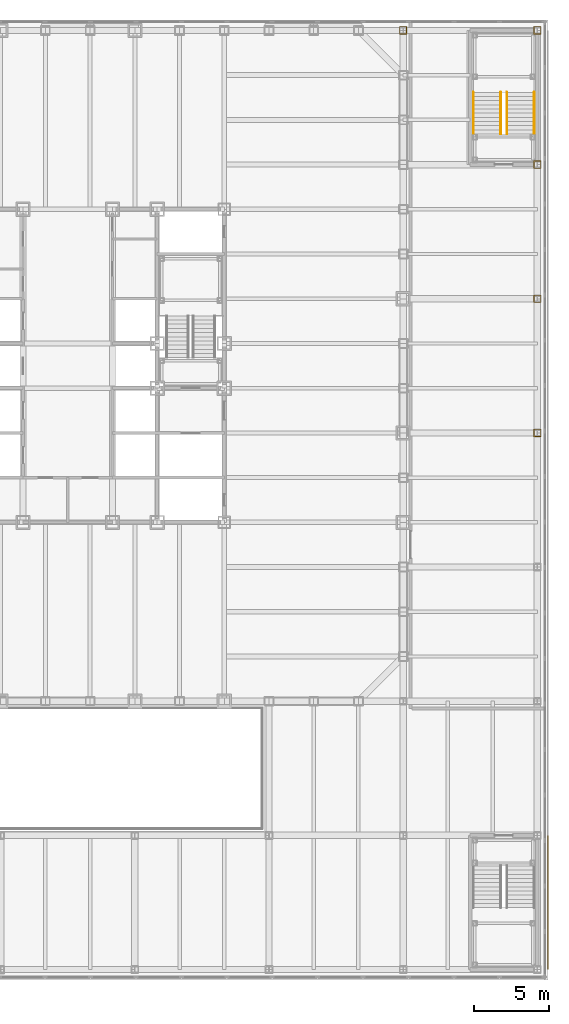
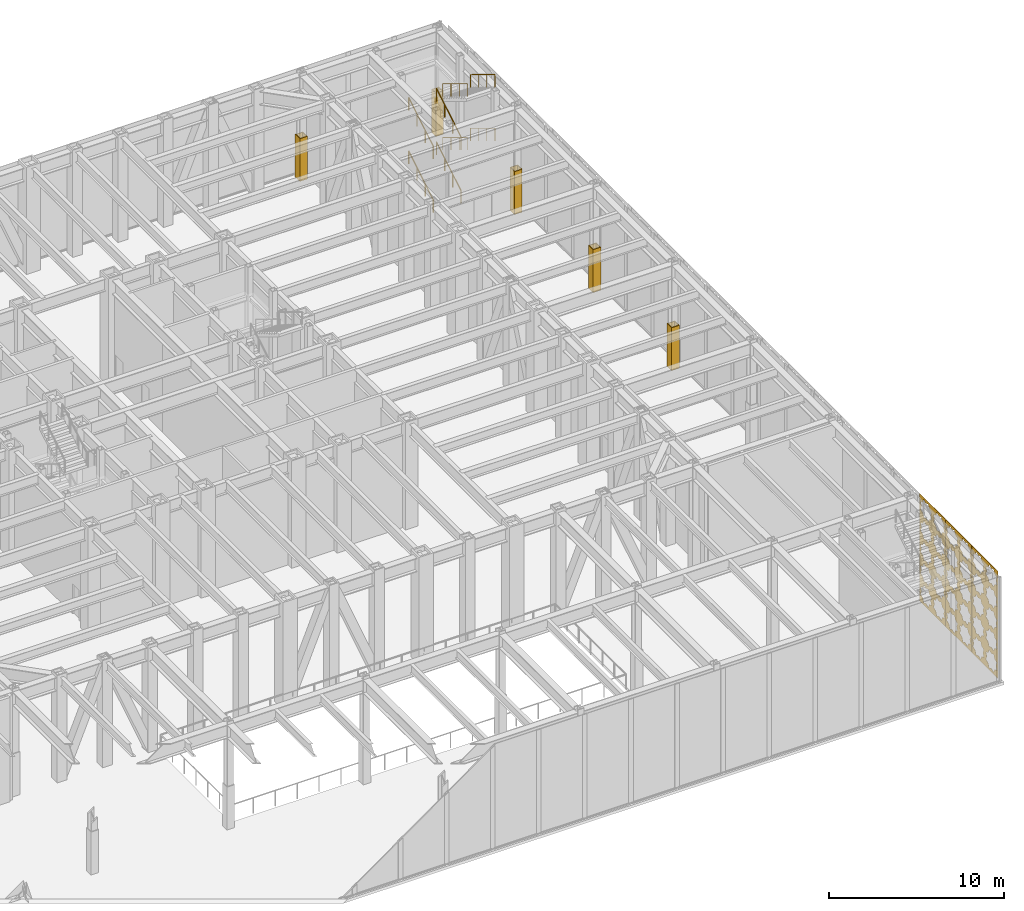
# One storey, part 30 of 34: 8 railings, 5 coverings, 3 shading devices.
"""IFC4 building model written with IfcOpenShell, lengths in metres."""

from ifc_helpers import new_model, si_unit, direction, frame, origin, origin_2d, place, context, subcontext, project, spatial, polyline, circle, outline, extrude, material, layer, layer_set, type_object, element, save


model = new_model("IFC4")

# Units and contexts
model_context = context("Model", 3, precision=1e-05, world=origin(), true_north=direction((0.0, 1.0)))
body_context = subcontext(model_context, "Body", "Model", "MODEL_VIEW")
ifc_project = project(units=[si_unit("LENGTHUNIT", "METRE"), si_unit("AREAUNIT", "SQUARE_METRE"), si_unit("VOLUMEUNIT", "CUBIC_METRE"), si_unit("PLANEANGLEUNIT", "RADIAN"), si_unit("MASSUNIT", "GRAM", prefix="KILO")], contexts=[model_context])

# Site, building, storey
site_placement = place(None, origin())
site = spatial("IfcSite", under=ifc_project, at=site_placement, CompositionType="ELEMENT")
building_placement = place(site_placement, origin())
building = spatial("IfcBuilding", under=site, at=building_placement, Name="Chuquiago Exchange Tower", CompositionType="ELEMENT")
storey_placement = place(building_placement, frame((0.0, 0.0, 6.0)))
storey = spatial("IfcBuildingStorey", under=building, at=storey_placement, Name="L01", CompositionType="ELEMENT", Elevation=6.0)

# Coverings
ifc_material_1 = material(Name="Pale metal sheet casing on rails", Category="aluminium")
ifc_layer_1 = layer(ifc_material_1, 0.050048828125)
ifc_layer_set_1 = layer_set([ifc_layer_1], Name="CS1 column casing 50")
covering_type = type_object("IfcCoveringType", Name="CS1 column casing 50", PredefinedType="CLADDING", material=ifc_layer_set_1)
covering_1_placement = place(storey_placement, origin())
element("IfcCovering", 1, at=covering_1_placement, inside=storey, type_object=covering_type, Name="Column casing L01", PredefinedType="CLADDING", context=body_context, shape_type="SweptSolid", body=[
    extrude(outline(polyline([(44.744384765625, 44.73291015625), (45.255615234375, 44.73291015625), (45.255615234375, 45.26708984375), (44.744384765625, 45.26708984375), (44.744384765625, 44.73291015625)]), holes=[polyline([(44.794189453125, 44.78271484375), (44.794189453125, 45.21728515625), (45.205810546875, 45.21728515625), (45.205810546875, 44.78271484375), (44.794189453125, 44.78271484375)])]), origin(), (0.0, 0.0, 1.0), 3.0),
])
covering_2_placement = place(storey_placement, origin())
element("IfcCovering", 2, at=covering_2_placement, inside=storey, type_object=covering_type, Name="Column casing L01", PredefinedType="CLADDING", context=body_context, shape_type="SweptSolid", body=[
    extrude(outline(polyline([(53.744384765625, 17.73291015625), (54.255615234375, 17.73291015625), (54.255615234375, 18.26708984375), (53.744384765625, 18.26708984375), (53.744384765625, 17.73291015625)]), holes=[polyline([(53.794189453125, 17.78271484375), (53.794189453125, 18.21728515625), (54.205810546875, 18.21728515625), (54.205810546875, 17.78271484375), (53.794189453125, 17.78271484375)])]), origin(), (0.0, 0.0, 1.0), 3.0),
])
covering_3_placement = place(storey_placement, origin())
element("IfcCovering", 3, at=covering_3_placement, inside=storey, type_object=covering_type, Name="Column casing L01", PredefinedType="CLADDING", context=body_context, shape_type="SweptSolid", body=[
    extrude(outline(polyline([(53.744384765625, 26.73291015625), (54.255615234375, 26.73291015625), (54.255615234375, 27.26708984375), (53.744384765625, 27.26708984375), (53.744384765625, 26.73291015625)]), holes=[polyline([(53.794189453125, 26.78271484375), (53.794189453125, 27.21728515625), (54.205810546875, 27.21728515625), (54.205810546875, 26.78271484375), (53.794189453125, 26.78271484375)])]), origin(), (0.0, 0.0, 1.0), 3.0),
])
covering_4_placement = place(storey_placement, origin())
element("IfcCovering", 4, at=covering_4_placement, inside=storey, type_object=covering_type, Name="Column casing L01", PredefinedType="CLADDING", context=body_context, shape_type="SweptSolid", body=[
    extrude(outline(polyline([(53.744384765625, 35.73291015625), (54.255615234375, 35.73291015625), (54.255615234375, 36.26708984375), (53.744384765625, 36.26708984375), (53.744384765625, 35.73291015625)]), holes=[polyline([(53.794189453125, 35.78271484375), (53.794189453125, 36.21728515625), (54.205810546875, 36.21728515625), (54.205810546875, 35.78271484375), (53.794189453125, 35.78271484375)])]), origin(), (0.0, 0.0, 1.0), 3.0),
])
covering_5_placement = place(storey_placement, origin())
element("IfcCovering", 5, at=covering_5_placement, inside=storey, type_object=covering_type, Name="Column casing L01", PredefinedType="CLADDING", context=body_context, shape_type="SweptSolid", body=[
    extrude(outline(polyline([(53.744384765625, 44.73291015625), (54.255615234375, 44.73291015625), (54.255615234375, 45.26708984375), (53.744384765625, 45.26708984375), (53.744384765625, 44.73291015625)]), holes=[polyline([(53.794189453125, 44.78271484375), (53.794189453125, 45.21728515625), (54.205810546875, 45.21728515625), (54.205810546875, 44.78271484375), (53.794189453125, 44.78271484375)])]), origin(), (0.0, 0.0, 1.0), 3.0),
])

# Railings
ifc_material_2 = material(Name="Pale metal handrail", Category="steel")
railing_type = type_object("IfcRailingType", Name="HR1 handrail 900", PredefinedType="HANDRAIL", material=ifc_material_2)
for number, where, name in (
    (6, (51.5400390625, 38.050048828125, 0.17041015625), "Handrail PS4 L01 flight 1"),
    (7, (49.7099609375, 38.050048828125, 0.17041015625), "Handrail PS4 L01 flight 1"),
):
    element("IfcRailing", number, at=place(storey_placement, frame(where)), inside=storey, type_object=railing_type, Name=name, PredefinedType="HANDRAIL", context=body_context, shape_type="SweptSolid", body=[
        extrude(circle(Radius=0.02392578125, at=origin_2d()), frame((0.0, 0.0, 0.8759765625), z_axis=(0.0, 0.854169791009, 0.51999420009), x_axis=(-1.0, 0.0, 0.0)), (0.0, 0.0, 1.0), 3.278076171875),
        extrude(circle(Radius=0.02099609375, at=origin_2d()), origin(), (0.0, 0.0, 1.0), 0.851806640625),
        extrude(circle(Radius=0.02099609375, at=origin_2d()), frame((0.0, 0.933349609375, 0.568115234375)), (0.0, 0.0, 1.0), 0.851806640625),
        extrude(circle(Radius=0.02099609375, at=origin_2d()), frame((0.0, 1.86669921875, 1.136474609375)), (0.0, 0.0, 1.0), 0.851806640625),
        extrude(circle(Radius=0.02099609375, at=origin_2d()), frame((0.0, 2.800048828125, 1.70458984375)), (0.0, 0.0, 1.0), 0.851806640625),
    ])
for number, where, name in (
    (8, (51.9599609375, 40.85009765625, 2.04541015625), "Handrail PS4 L01 flight 2"),
    (9, (53.7900390625, 40.85009765625, 2.04541015625), "Handrail PS4 L01 flight 2"),
):
    element("IfcRailing", number, at=place(storey_placement, frame(where)), inside=storey, type_object=railing_type, Name=name, PredefinedType="HANDRAIL", context=body_context, shape_type="SweptSolid", body=[
        extrude(circle(Radius=0.02392578125, at=origin_2d()), frame((0.0, 0.0, 0.8759765625), z_axis=(0.0, -0.854169791009, 0.51999420009), x_axis=(1.0, 0.0, 0.0)), (0.0, 0.0, 1.0), 3.278076171875),
        extrude(circle(Radius=0.02099609375, at=origin_2d()), origin(), (0.0, 0.0, 1.0), 0.851806640625),
        extrude(circle(Radius=0.02099609375, at=origin_2d()), frame((0.0, -0.933349609375, 0.568115234375)), (0.0, 0.0, 1.0), 0.851806640625),
        extrude(circle(Radius=0.02099609375, at=origin_2d()), frame((0.0, -1.86669921875, 1.136474609375)), (0.0, 0.0, 1.0), 0.851806640625),
        extrude(circle(Radius=0.02099609375, at=origin_2d()), frame((0.0, -2.800048828125, 1.70458984375)), (0.0, 0.0, 1.0), 0.851806640625),
    ])
for number, where, name in (
    (10, (51.5400390625, 38.050048828125, 3.92041015625), "Handrail PS4 L01 flight 3"),
    (11, (49.7099609375, 38.050048828125, 3.92041015625), "Handrail PS4 L01 flight 3"),
):
    element("IfcRailing", number, at=place(storey_placement, frame(where)), inside=storey, type_object=railing_type, Name=name, PredefinedType="HANDRAIL", context=body_context, shape_type="SweptSolid", body=[
        extrude(circle(Radius=0.02392578125, at=origin_2d()), frame((0.0, 0.0, 0.8759765625), z_axis=(0.0, 0.854169791009, 0.51999420009), x_axis=(-1.0, 0.0, 0.0)), (0.0, 0.0, 1.0), 3.278076171875),
        extrude(circle(Radius=0.02099609375, at=origin_2d()), origin(), (0.0, 0.0, 1.0), 0.851806640625),
        extrude(circle(Radius=0.02099609375, at=origin_2d()), frame((0.0, 0.933349609375, 0.568115234375)), (0.0, 0.0, 1.0), 0.851806640625),
        extrude(circle(Radius=0.02099609375, at=origin_2d()), frame((0.0, 1.86669921875, 1.136474609375)), (0.0, 0.0, 1.0), 0.851806640625),
        extrude(circle(Radius=0.02099609375, at=origin_2d()), frame((0.0, 2.800048828125, 1.70458984375)), (0.0, 0.0, 1.0), 0.851806640625),
    ])
for number, where, name in (
    (12, (51.9599609375, 40.85009765625, 5.79541015625), "Handrail PS4 L01 flight 4"),
    (13, (53.7900390625, 40.85009765625, 5.79541015625), "Handrail PS4 L01 flight 4"),
):
    element("IfcRailing", number, at=place(storey_placement, frame(where)), inside=storey, type_object=railing_type, Name=name, PredefinedType="HANDRAIL", context=body_context, shape_type="SweptSolid", body=[
        extrude(circle(Radius=0.02392578125, at=origin_2d()), frame((0.0, 0.0, 0.8759765625), z_axis=(0.0, -0.854169791009, 0.51999420009), x_axis=(1.0, 0.0, 0.0)), (0.0, 0.0, 1.0), 3.278076171875),
        extrude(circle(Radius=0.02099609375, at=origin_2d()), origin(), (0.0, 0.0, 1.0), 0.851806640625),
        extrude(circle(Radius=0.02099609375, at=origin_2d()), frame((0.0, -0.933349609375, 0.568115234375)), (0.0, 0.0, 1.0), 0.851806640625),
        extrude(circle(Radius=0.02099609375, at=origin_2d()), frame((0.0, -1.86669921875, 1.136474609375)), (0.0, 0.0, 1.0), 0.851806640625),
        extrude(circle(Radius=0.02099609375, at=origin_2d()), frame((0.0, -2.800048828125, 1.70458984375)), (0.0, 0.0, 1.0), 0.851806640625),
    ])

# Shading devices
ifc_material_3 = material(Name="Pale metal, perforated in an eight-point star pattern", Category="aluminium")
ifc_layer_2 = layer(ifc_material_3, 0.02001953125)
ifc_layer_set_2 = layer_set([ifc_layer_2], Name="SC1 mashrabiya screen 20")
shading_device_type = type_object("IfcShadingDeviceType", Name="SC1 mashrabiya screen 20", PredefinedType="SHUTTER", material=ifc_layer_set_2)
shading_device_1_placement = place(storey_placement, frame((54.699951171875, -17.989990234375, -0.199951171875), z_axis=(0.0, 0.0, 1.0), x_axis=(0.0, 1.0, 0.0)))
element("IfcShadingDevice", 14, at=shading_device_1_placement, inside=storey, type_object=shading_device_type, Name="Mashrabiya screen L01 E 1", PredefinedType="SHUTTER", context=body_context, shape_type="SweptSolid", body=[
    extrude(outline(polyline([(0.0, 0.0), (2.97998046875, 0.0), (2.97998046875, 7.5), (0.0, 7.5), (0.0, 0.0)]), holes=[polyline([(1.26953125, 0.77001953125), (1.378173828125, 1.0322265625), (1.115966796875, 1.140869140625), (1.00732421875, 1.403076171875), (0.7451171875, 1.29443359375), (0.482666015625, 1.403076171875), (0.3740234375, 1.140869140625), (0.11181640625, 1.0322265625), (0.220458984375, 0.77001953125), (0.11181640625, 0.507568359375), (0.3740234375, 0.39892578125), (0.482666015625, 0.13671875), (0.7451171875, 0.245361328125), (1.00732421875, 0.13671875), (1.115966796875, 0.39892578125), (1.378173828125, 0.507568359375), (1.26953125, 0.77001953125)]), polyline([(2.759521484375, 0.77001953125), (2.8681640625, 1.0322265625), (2.60595703125, 1.140869140625), (2.497314453125, 1.403076171875), (2.235107421875, 1.29443359375), (1.97265625, 1.403076171875), (1.864013671875, 1.140869140625), (1.601806640625, 1.0322265625), (1.71044921875, 0.77001953125), (1.601806640625, 0.507568359375), (1.864013671875, 0.39892578125), (1.97265625, 0.13671875), (2.235107421875, 0.245361328125), (2.497314453125, 0.13671875), (2.60595703125, 0.39892578125), (2.8681640625, 0.507568359375), (2.759521484375, 0.77001953125)]), polyline([(1.26953125, 2.260009765625), (1.378173828125, 2.522216796875), (1.115966796875, 2.630859375), (1.00732421875, 2.89306640625), (0.7451171875, 2.78466796875), (0.482666015625, 2.89306640625), (0.3740234375, 2.630859375), (0.11181640625, 2.522216796875), (0.220458984375, 2.260009765625), (0.11181640625, 1.99755859375), (0.3740234375, 1.888916015625), (0.482666015625, 1.626708984375), (0.7451171875, 1.7353515625), (1.00732421875, 1.626708984375), (1.115966796875, 1.888916015625), (1.378173828125, 1.99755859375), (1.26953125, 2.260009765625)]), polyline([(2.759521484375, 2.260009765625), (2.8681640625, 2.522216796875), (2.60595703125, 2.630859375), (2.497314453125, 2.89306640625), (2.235107421875, 2.78466796875), (1.97265625, 2.89306640625), (1.864013671875, 2.630859375), (1.601806640625, 2.522216796875), (1.71044921875, 2.260009765625), (1.601806640625, 1.99755859375), (1.864013671875, 1.888916015625), (1.97265625, 1.626708984375), (2.235107421875, 1.7353515625), (2.497314453125, 1.626708984375), (2.60595703125, 1.888916015625), (2.8681640625, 1.99755859375), (2.759521484375, 2.260009765625)]), polyline([(1.26953125, 3.75), (1.378173828125, 4.01220703125), (1.115966796875, 4.120849609375), (1.00732421875, 4.383056640625), (0.7451171875, 4.274658203125), (0.482666015625, 4.383056640625), (0.3740234375, 4.120849609375), (0.11181640625, 4.01220703125), (0.220458984375, 3.75), (0.11181640625, 3.487548828125), (0.3740234375, 3.37890625), (0.482666015625, 3.11669921875), (0.7451171875, 3.225341796875), (1.00732421875, 3.11669921875), (1.115966796875, 3.37890625), (1.378173828125, 3.487548828125), (1.26953125, 3.75)]), polyline([(2.759521484375, 3.75), (2.8681640625, 4.01220703125), (2.60595703125, 4.120849609375), (2.497314453125, 4.383056640625), (2.235107421875, 4.274658203125), (1.97265625, 4.383056640625), (1.864013671875, 4.120849609375), (1.601806640625, 4.01220703125), (1.71044921875, 3.75), (1.601806640625, 3.487548828125), (1.864013671875, 3.37890625), (1.97265625, 3.11669921875), (2.235107421875, 3.225341796875), (2.497314453125, 3.11669921875), (2.60595703125, 3.37890625), (2.8681640625, 3.487548828125), (2.759521484375, 3.75)]), polyline([(1.26953125, 5.239990234375), (1.378173828125, 5.502197265625), (1.115966796875, 5.61083984375), (1.00732421875, 5.873046875), (0.7451171875, 5.7646484375), (0.482666015625, 5.873046875), (0.3740234375, 5.61083984375), (0.11181640625, 5.502197265625), (0.220458984375, 5.239990234375), (0.11181640625, 4.9775390625), (0.3740234375, 4.868896484375), (0.482666015625, 4.606689453125), (0.7451171875, 4.71533203125), (1.00732421875, 4.606689453125), (1.115966796875, 4.868896484375), (1.378173828125, 4.9775390625), (1.26953125, 5.239990234375)]), polyline([(2.759521484375, 5.239990234375), (2.8681640625, 5.502197265625), (2.60595703125, 5.61083984375), (2.497314453125, 5.873046875), (2.235107421875, 5.7646484375), (1.97265625, 5.873046875), (1.864013671875, 5.61083984375), (1.601806640625, 5.502197265625), (1.71044921875, 5.239990234375), (1.601806640625, 4.9775390625), (1.864013671875, 4.868896484375), (1.97265625, 4.606689453125), (2.235107421875, 4.71533203125), (2.497314453125, 4.606689453125), (2.60595703125, 4.868896484375), (2.8681640625, 4.9775390625), (2.759521484375, 5.239990234375)]), polyline([(1.26953125, 6.72998046875), (1.378173828125, 6.9921875), (1.115966796875, 7.100830078125), (1.00732421875, 7.363037109375), (0.7451171875, 7.254638671875), (0.482666015625, 7.363037109375), (0.3740234375, 7.100830078125), (0.11181640625, 6.9921875), (0.220458984375, 6.72998046875), (0.11181640625, 6.467529296875), (0.3740234375, 6.35888671875), (0.482666015625, 6.0966796875), (0.7451171875, 6.205322265625), (1.00732421875, 6.0966796875), (1.115966796875, 6.35888671875), (1.378173828125, 6.467529296875), (1.26953125, 6.72998046875)]), polyline([(2.759521484375, 6.72998046875), (2.8681640625, 6.9921875), (2.60595703125, 7.100830078125), (2.497314453125, 7.363037109375), (2.235107421875, 7.254638671875), (1.97265625, 7.363037109375), (1.864013671875, 7.100830078125), (1.601806640625, 6.9921875), (1.71044921875, 6.72998046875), (1.601806640625, 6.467529296875), (1.864013671875, 6.35888671875), (1.97265625, 6.0966796875), (2.235107421875, 6.205322265625), (2.497314453125, 6.0966796875), (2.60595703125, 6.35888671875), (2.8681640625, 6.467529296875), (2.759521484375, 6.72998046875)])]), frame((0.0, 0.0, 0.0), z_axis=(0.0, -1.0, 0.0), x_axis=(1.0, 0.0, 0.0)), (0.0, 0.0, 1.0), 0.02001953125),
])
shading_device_2_placement = place(storey_placement, frame((54.699951171875, -14.989990234375, -0.199951171875), z_axis=(0.0, 0.0, 1.0), x_axis=(0.0, 1.0, 0.0)))
element("IfcShadingDevice", 15, at=shading_device_2_placement, inside=storey, type_object=shading_device_type, Name="Mashrabiya screen L01 E 2", PredefinedType="SHUTTER", context=body_context, shape_type="SweptSolid", body=[
    extrude(outline(polyline([(0.0, 0.0), (2.97998046875, 0.0), (2.97998046875, 7.5), (0.0, 7.5), (0.0, 0.0)]), holes=[polyline([(1.26953125, 0.77001953125), (1.378173828125, 1.0322265625), (1.115966796875, 1.140869140625), (1.00732421875, 1.403076171875), (0.7451171875, 1.29443359375), (0.482666015625, 1.403076171875), (0.3740234375, 1.140869140625), (0.11181640625, 1.0322265625), (0.220458984375, 0.77001953125), (0.11181640625, 0.507568359375), (0.3740234375, 0.39892578125), (0.482666015625, 0.13671875), (0.7451171875, 0.245361328125), (1.00732421875, 0.13671875), (1.115966796875, 0.39892578125), (1.378173828125, 0.507568359375), (1.26953125, 0.77001953125)]), polyline([(2.759521484375, 0.77001953125), (2.8681640625, 1.0322265625), (2.60595703125, 1.140869140625), (2.497314453125, 1.403076171875), (2.235107421875, 1.29443359375), (1.97265625, 1.403076171875), (1.864013671875, 1.140869140625), (1.601806640625, 1.0322265625), (1.71044921875, 0.77001953125), (1.601806640625, 0.507568359375), (1.864013671875, 0.39892578125), (1.97265625, 0.13671875), (2.235107421875, 0.245361328125), (2.497314453125, 0.13671875), (2.60595703125, 0.39892578125), (2.8681640625, 0.507568359375), (2.759521484375, 0.77001953125)]), polyline([(1.26953125, 2.260009765625), (1.378173828125, 2.522216796875), (1.115966796875, 2.630859375), (1.00732421875, 2.89306640625), (0.7451171875, 2.78466796875), (0.482666015625, 2.89306640625), (0.3740234375, 2.630859375), (0.11181640625, 2.522216796875), (0.220458984375, 2.260009765625), (0.11181640625, 1.99755859375), (0.3740234375, 1.888916015625), (0.482666015625, 1.626708984375), (0.7451171875, 1.7353515625), (1.00732421875, 1.626708984375), (1.115966796875, 1.888916015625), (1.378173828125, 1.99755859375), (1.26953125, 2.260009765625)]), polyline([(2.759521484375, 2.260009765625), (2.8681640625, 2.522216796875), (2.60595703125, 2.630859375), (2.497314453125, 2.89306640625), (2.235107421875, 2.78466796875), (1.97265625, 2.89306640625), (1.864013671875, 2.630859375), (1.601806640625, 2.522216796875), (1.71044921875, 2.260009765625), (1.601806640625, 1.99755859375), (1.864013671875, 1.888916015625), (1.97265625, 1.626708984375), (2.235107421875, 1.7353515625), (2.497314453125, 1.626708984375), (2.60595703125, 1.888916015625), (2.8681640625, 1.99755859375), (2.759521484375, 2.260009765625)]), polyline([(1.26953125, 3.75), (1.378173828125, 4.01220703125), (1.115966796875, 4.120849609375), (1.00732421875, 4.383056640625), (0.7451171875, 4.274658203125), (0.482666015625, 4.383056640625), (0.3740234375, 4.120849609375), (0.11181640625, 4.01220703125), (0.220458984375, 3.75), (0.11181640625, 3.487548828125), (0.3740234375, 3.37890625), (0.482666015625, 3.11669921875), (0.7451171875, 3.225341796875), (1.00732421875, 3.11669921875), (1.115966796875, 3.37890625), (1.378173828125, 3.487548828125), (1.26953125, 3.75)]), polyline([(2.759521484375, 3.75), (2.8681640625, 4.01220703125), (2.60595703125, 4.120849609375), (2.497314453125, 4.383056640625), (2.235107421875, 4.274658203125), (1.97265625, 4.383056640625), (1.864013671875, 4.120849609375), (1.601806640625, 4.01220703125), (1.71044921875, 3.75), (1.601806640625, 3.487548828125), (1.864013671875, 3.37890625), (1.97265625, 3.11669921875), (2.235107421875, 3.225341796875), (2.497314453125, 3.11669921875), (2.60595703125, 3.37890625), (2.8681640625, 3.487548828125), (2.759521484375, 3.75)]), polyline([(1.26953125, 5.239990234375), (1.378173828125, 5.502197265625), (1.115966796875, 5.61083984375), (1.00732421875, 5.873046875), (0.7451171875, 5.7646484375), (0.482666015625, 5.873046875), (0.3740234375, 5.61083984375), (0.11181640625, 5.502197265625), (0.220458984375, 5.239990234375), (0.11181640625, 4.9775390625), (0.3740234375, 4.868896484375), (0.482666015625, 4.606689453125), (0.7451171875, 4.71533203125), (1.00732421875, 4.606689453125), (1.115966796875, 4.868896484375), (1.378173828125, 4.9775390625), (1.26953125, 5.239990234375)]), polyline([(2.759521484375, 5.239990234375), (2.8681640625, 5.502197265625), (2.60595703125, 5.61083984375), (2.497314453125, 5.873046875), (2.235107421875, 5.7646484375), (1.97265625, 5.873046875), (1.864013671875, 5.61083984375), (1.601806640625, 5.502197265625), (1.71044921875, 5.239990234375), (1.601806640625, 4.9775390625), (1.864013671875, 4.868896484375), (1.97265625, 4.606689453125), (2.235107421875, 4.71533203125), (2.497314453125, 4.606689453125), (2.60595703125, 4.868896484375), (2.8681640625, 4.9775390625), (2.759521484375, 5.239990234375)]), polyline([(1.26953125, 6.72998046875), (1.378173828125, 6.9921875), (1.115966796875, 7.100830078125), (1.00732421875, 7.363037109375), (0.7451171875, 7.254638671875), (0.482666015625, 7.363037109375), (0.3740234375, 7.100830078125), (0.11181640625, 6.9921875), (0.220458984375, 6.72998046875), (0.11181640625, 6.467529296875), (0.3740234375, 6.35888671875), (0.482666015625, 6.0966796875), (0.7451171875, 6.205322265625), (1.00732421875, 6.0966796875), (1.115966796875, 6.35888671875), (1.378173828125, 6.467529296875), (1.26953125, 6.72998046875)]), polyline([(2.759521484375, 6.72998046875), (2.8681640625, 6.9921875), (2.60595703125, 7.100830078125), (2.497314453125, 7.363037109375), (2.235107421875, 7.254638671875), (1.97265625, 7.363037109375), (1.864013671875, 7.100830078125), (1.601806640625, 6.9921875), (1.71044921875, 6.72998046875), (1.601806640625, 6.467529296875), (1.864013671875, 6.35888671875), (1.97265625, 6.0966796875), (2.235107421875, 6.205322265625), (2.497314453125, 6.0966796875), (2.60595703125, 6.35888671875), (2.8681640625, 6.467529296875), (2.759521484375, 6.72998046875)])]), frame((0.0, 0.0, 0.0), z_axis=(0.0, -1.0, 0.0), x_axis=(1.0, 0.0, 0.0)), (0.0, 0.0, 1.0), 0.02001953125),
])
shading_device_3_placement = place(storey_placement, frame((54.699951171875, -11.989990234375, -0.199951171875), z_axis=(0.0, 0.0, 1.0), x_axis=(0.0, 1.0, 0.0)))
element("IfcShadingDevice", 16, at=shading_device_3_placement, inside=storey, type_object=shading_device_type, Name="Mashrabiya screen L01 E 3", PredefinedType="SHUTTER", context=body_context, shape_type="SweptSolid", body=[
    extrude(outline(polyline([(0.0, 0.0), (2.97998046875, 0.0), (2.97998046875, 7.5), (0.0, 7.5), (0.0, 0.0)]), holes=[polyline([(1.26953125, 0.77001953125), (1.378173828125, 1.0322265625), (1.115966796875, 1.140869140625), (1.00732421875, 1.403076171875), (0.7451171875, 1.29443359375), (0.482666015625, 1.403076171875), (0.3740234375, 1.140869140625), (0.11181640625, 1.0322265625), (0.220458984375, 0.77001953125), (0.11181640625, 0.507568359375), (0.3740234375, 0.39892578125), (0.482666015625, 0.13671875), (0.7451171875, 0.245361328125), (1.00732421875, 0.13671875), (1.115966796875, 0.39892578125), (1.378173828125, 0.507568359375), (1.26953125, 0.77001953125)]), polyline([(2.759521484375, 0.77001953125), (2.8681640625, 1.0322265625), (2.60595703125, 1.140869140625), (2.497314453125, 1.403076171875), (2.235107421875, 1.29443359375), (1.97265625, 1.403076171875), (1.864013671875, 1.140869140625), (1.601806640625, 1.0322265625), (1.71044921875, 0.77001953125), (1.601806640625, 0.507568359375), (1.864013671875, 0.39892578125), (1.97265625, 0.13671875), (2.235107421875, 0.245361328125), (2.497314453125, 0.13671875), (2.60595703125, 0.39892578125), (2.8681640625, 0.507568359375), (2.759521484375, 0.77001953125)]), polyline([(1.26953125, 2.260009765625), (1.378173828125, 2.522216796875), (1.115966796875, 2.630859375), (1.00732421875, 2.89306640625), (0.7451171875, 2.78466796875), (0.482666015625, 2.89306640625), (0.3740234375, 2.630859375), (0.11181640625, 2.522216796875), (0.220458984375, 2.260009765625), (0.11181640625, 1.99755859375), (0.3740234375, 1.888916015625), (0.482666015625, 1.626708984375), (0.7451171875, 1.7353515625), (1.00732421875, 1.626708984375), (1.115966796875, 1.888916015625), (1.378173828125, 1.99755859375), (1.26953125, 2.260009765625)]), polyline([(2.759521484375, 2.260009765625), (2.8681640625, 2.522216796875), (2.60595703125, 2.630859375), (2.497314453125, 2.89306640625), (2.235107421875, 2.78466796875), (1.97265625, 2.89306640625), (1.864013671875, 2.630859375), (1.601806640625, 2.522216796875), (1.71044921875, 2.260009765625), (1.601806640625, 1.99755859375), (1.864013671875, 1.888916015625), (1.97265625, 1.626708984375), (2.235107421875, 1.7353515625), (2.497314453125, 1.626708984375), (2.60595703125, 1.888916015625), (2.8681640625, 1.99755859375), (2.759521484375, 2.260009765625)]), polyline([(1.26953125, 3.75), (1.378173828125, 4.01220703125), (1.115966796875, 4.120849609375), (1.00732421875, 4.383056640625), (0.7451171875, 4.274658203125), (0.482666015625, 4.383056640625), (0.3740234375, 4.120849609375), (0.11181640625, 4.01220703125), (0.220458984375, 3.75), (0.11181640625, 3.487548828125), (0.3740234375, 3.37890625), (0.482666015625, 3.11669921875), (0.7451171875, 3.225341796875), (1.00732421875, 3.11669921875), (1.115966796875, 3.37890625), (1.378173828125, 3.487548828125), (1.26953125, 3.75)]), polyline([(2.759521484375, 3.75), (2.8681640625, 4.01220703125), (2.60595703125, 4.120849609375), (2.497314453125, 4.383056640625), (2.235107421875, 4.274658203125), (1.97265625, 4.383056640625), (1.864013671875, 4.120849609375), (1.601806640625, 4.01220703125), (1.71044921875, 3.75), (1.601806640625, 3.487548828125), (1.864013671875, 3.37890625), (1.97265625, 3.11669921875), (2.235107421875, 3.225341796875), (2.497314453125, 3.11669921875), (2.60595703125, 3.37890625), (2.8681640625, 3.487548828125), (2.759521484375, 3.75)]), polyline([(1.26953125, 5.239990234375), (1.378173828125, 5.502197265625), (1.115966796875, 5.61083984375), (1.00732421875, 5.873046875), (0.7451171875, 5.7646484375), (0.482666015625, 5.873046875), (0.3740234375, 5.61083984375), (0.11181640625, 5.502197265625), (0.220458984375, 5.239990234375), (0.11181640625, 4.9775390625), (0.3740234375, 4.868896484375), (0.482666015625, 4.606689453125), (0.7451171875, 4.71533203125), (1.00732421875, 4.606689453125), (1.115966796875, 4.868896484375), (1.378173828125, 4.9775390625), (1.26953125, 5.239990234375)]), polyline([(2.759521484375, 5.239990234375), (2.8681640625, 5.502197265625), (2.60595703125, 5.61083984375), (2.497314453125, 5.873046875), (2.235107421875, 5.7646484375), (1.97265625, 5.873046875), (1.864013671875, 5.61083984375), (1.601806640625, 5.502197265625), (1.71044921875, 5.239990234375), (1.601806640625, 4.9775390625), (1.864013671875, 4.868896484375), (1.97265625, 4.606689453125), (2.235107421875, 4.71533203125), (2.497314453125, 4.606689453125), (2.60595703125, 4.868896484375), (2.8681640625, 4.9775390625), (2.759521484375, 5.239990234375)]), polyline([(1.26953125, 6.72998046875), (1.378173828125, 6.9921875), (1.115966796875, 7.100830078125), (1.00732421875, 7.363037109375), (0.7451171875, 7.254638671875), (0.482666015625, 7.363037109375), (0.3740234375, 7.100830078125), (0.11181640625, 6.9921875), (0.220458984375, 6.72998046875), (0.11181640625, 6.467529296875), (0.3740234375, 6.35888671875), (0.482666015625, 6.0966796875), (0.7451171875, 6.205322265625), (1.00732421875, 6.0966796875), (1.115966796875, 6.35888671875), (1.378173828125, 6.467529296875), (1.26953125, 6.72998046875)]), polyline([(2.759521484375, 6.72998046875), (2.8681640625, 6.9921875), (2.60595703125, 7.100830078125), (2.497314453125, 7.363037109375), (2.235107421875, 7.254638671875), (1.97265625, 7.363037109375), (1.864013671875, 7.100830078125), (1.601806640625, 6.9921875), (1.71044921875, 6.72998046875), (1.601806640625, 6.467529296875), (1.864013671875, 6.35888671875), (1.97265625, 6.0966796875), (2.235107421875, 6.205322265625), (2.497314453125, 6.0966796875), (2.60595703125, 6.35888671875), (2.8681640625, 6.467529296875), (2.759521484375, 6.72998046875)])]), frame((0.0, 0.0, 0.0), z_axis=(0.0, -1.0, 0.0), x_axis=(1.0, 0.0, 0.0)), (0.0, 0.0, 1.0), 0.02001953125),
])

save(model, "model.ifc")
